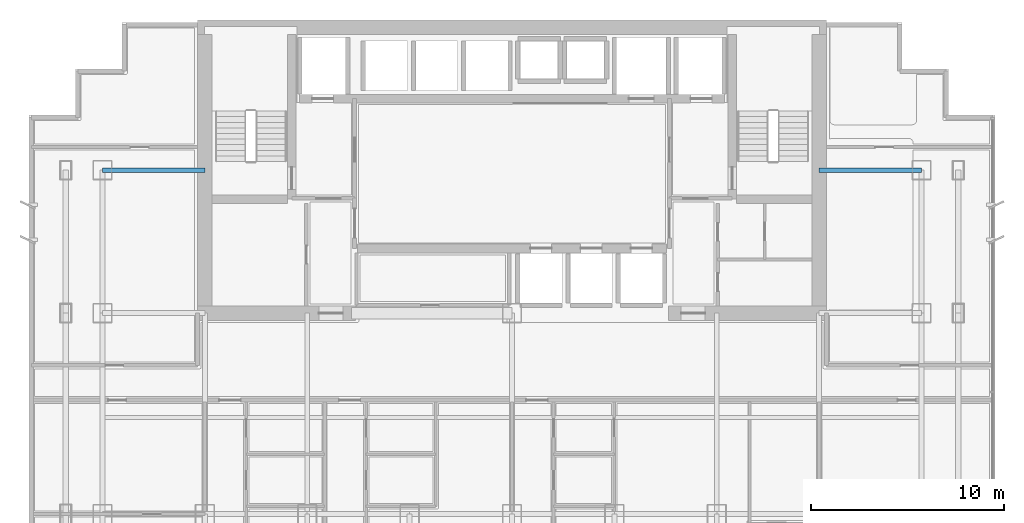
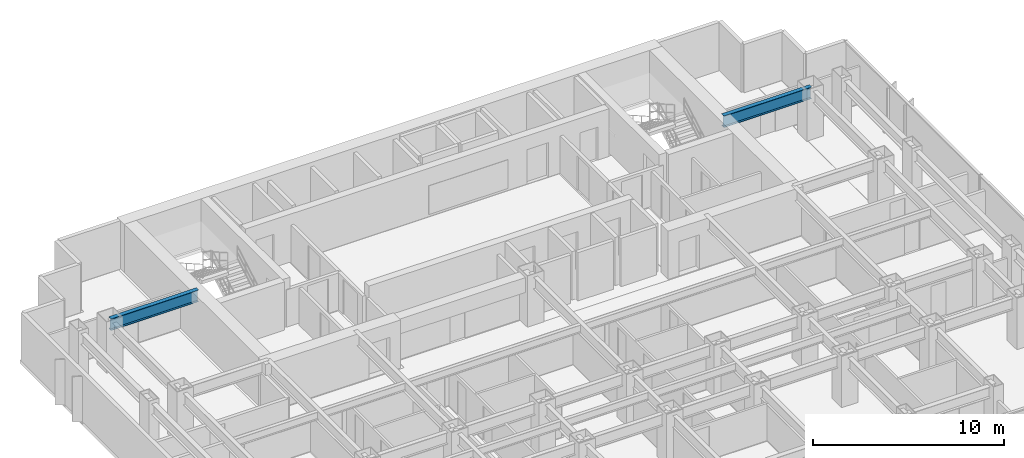
# One storey, part 4 of 12: 2 beams.
"""IFC4 building model written with IfcOpenShell, lengths in metres."""

from ifc_helpers import new_model, si_unit, direction, frame, origin, origin_2d, place, context, subcontext, project, spatial, i_section, extrude, material, material_profile, profile_set, type_object, element, save


model = new_model("IFC4")

# Units and contexts
model_context = context("Model", 3, precision=1e-05, world=origin(), true_north=direction((0.0, 1.0)))
body_context = subcontext(model_context, "Body", "Model", "MODEL_VIEW")
ifc_project = project(units=[si_unit("LENGTHUNIT", "METRE"), si_unit("AREAUNIT", "SQUARE_METRE"), si_unit("VOLUMEUNIT", "CUBIC_METRE"), si_unit("PLANEANGLEUNIT", "RADIAN"), si_unit("MASSUNIT", "GRAM", prefix="KILO")], contexts=[model_context])

# Site, building, storey
site_placement = place(None, origin())
site = spatial("IfcSite", under=ifc_project, at=site_placement, CompositionType="ELEMENT")
building_placement = place(site_placement, origin())
building = spatial("IfcBuilding", under=site, at=building_placement, Name="Qianlan Lanfeng Residences", CompositionType="ELEMENT")
storey_placement = place(building_placement, frame((0.0, 0.0, 85.0)))
storey = spatial("IfcBuildingStorey", under=building, at=storey_placement, Name="L22", CompositionType="ELEMENT", Elevation=85.0)

# Beams
ifc_material = material(Name="Steel SN490B", Category="steel")
ifc_material_profile = material_profile(ifc_material, i_section(OverallWidth=0.25, OverallDepth=0.75, WebThickness=0.013916015625, FlangeThickness=0.02490234375, at=origin_2d()), Name="H 750x250x14x25")
ifc_profile_set = profile_set([ifc_material_profile], Name="Steel SN490B")
beam_type = type_object("IfcBeamType", Name="G-850", PredefinedType="BEAM", material=ifc_profile_set)
for number, where, z_axis, x_axis, name in (
    (1, (5.300048828125, 32.60009765625, 2.715087890625), (1.0, 0.0, 0.0), (0.0, 1.0, 0.0), "Structural beam G-850"),
    (2, (42.39990234375, 32.60009765625, 2.715087890625), (1.0, 0.0, 0.0), (0.0, 1.0, 0.0), "Structural beam G-850"),
):
    element("IfcBeam", number, at=place(storey_placement, frame(where, z_axis=z_axis, x_axis=x_axis)), inside=storey, type_object=beam_type, Name=name, PredefinedType="BEAM", context=body_context, shape_type="SweptSolid", body=[
        extrude(i_section(OverallWidth=0.25, OverallDepth=0.75, WebThickness=0.013916015625, FlangeThickness=0.02490234375, at=origin_2d()), origin(), (0.0, 0.0, 1.0), 5.300048828125),
    ])

save(model, "model.ifc")
